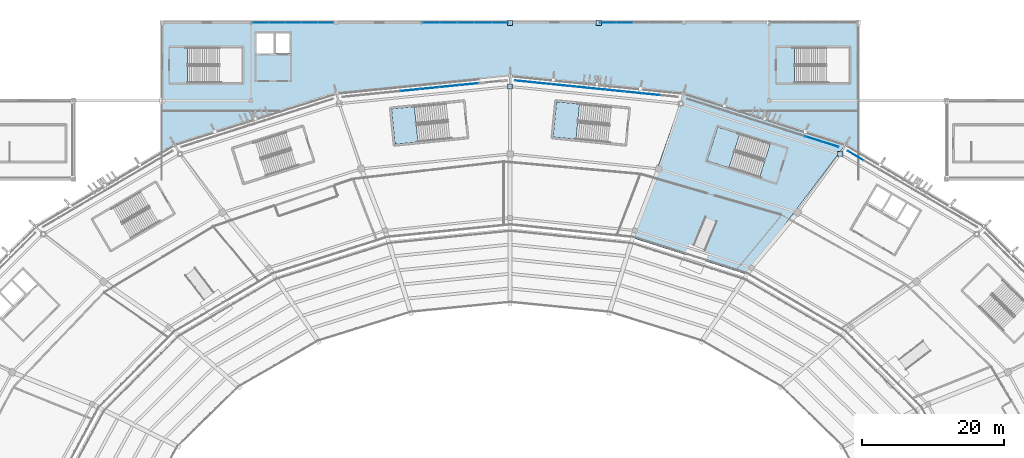
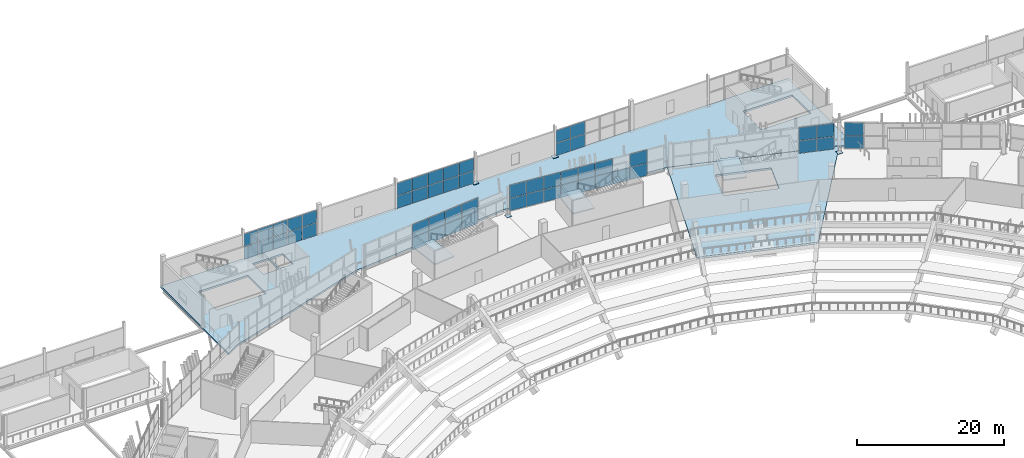
# One storey, part 101 of 178: 57 plates, 5 slabs, 10 elements without a shape of their own.
"""IFC4 building model written with IfcOpenShell, lengths in metres."""

from ifc_helpers import new_model, si_unit, direction, frame, origin, origin_2d, place, context, subcontext, project, spatial, polyline, rectangle, outline, extrude, material, layer, layer_set, type_object, element, aggregate, save


model = new_model("IFC4")

# Units and contexts
model_context = context("Model", 3, precision=1e-05, world=origin(), true_north=direction((0.0, 1.0)))
body_context = subcontext(model_context, "Body", "Model", "MODEL_VIEW")
ifc_project = project(units=[si_unit("LENGTHUNIT", "METRE"), si_unit("AREAUNIT", "SQUARE_METRE"), si_unit("VOLUMEUNIT", "CUBIC_METRE"), si_unit("PLANEANGLEUNIT", "RADIAN"), si_unit("MASSUNIT", "GRAM", prefix="KILO")], contexts=[model_context])

# Site, building, storey
site_placement = place(None, origin())
site = spatial("IfcSite", under=ifc_project, at=site_placement, CompositionType="ELEMENT")
building_placement = place(site_placement, origin())
building = spatial("IfcBuilding", under=site, at=building_placement, Name="Zlatoyarsky Gate Stadium", CompositionType="ELEMENT")
storey_placement = place(building_placement, frame((0.0, 0.0, 5.39990234375)))
storey = spatial("IfcBuildingStorey", under=building, at=storey_placement, Name="L01", CompositionType="ELEMENT", Elevation=5.39990234375)

# Curtain wall, plates
ifc_material_1 = material(Name="Thermally broken anodised aluminium curtain wall", Category="aluminium")
curtain_wall_type_1 = type_object("IfcCurtainWallType", Name="MONUMENTAL ARCHED GATE GLAZING LOWER", PredefinedType="USERDEFINED", material=ifc_material_1)
curtain_wall_1_placement = place(storey_placement, origin())
curtain_wall_1 = element("IfcCurtainWall", 1, at=curtain_wall_1_placement, inside=storey, type_object=curtain_wall_type_1, Name="Curtain wall CW-L01-06", ObjectType="ARCHED GATE GLAZING", PredefinedType="USERDEFINED")
ifc_material_2 = material(Name="Triple-glazed argon low-e architectural glass", Category="glass")
ifc_layer_1 = layer(ifc_material_2, 0.0458984375)
ifc_layer_set_1 = layer_set([ifc_layer_1], Name="Triple-glazed argon low-e architectural glass")
plate_type_1 = type_object("IfcPlateType", Name="ACOUSTIC LAMINATED GATE GLAZING PANEL 46", PredefinedType="CURTAIN_PANEL", material=ifc_layer_set_1)
plate_1_placement = place(storey_placement, frame((105.18017578125, 151.32177734375, 0.074951171875), z_axis=(0.0, 0.0, 1.0), x_axis=(-0.994956958498, -0.100302795257, 0.0)))
plate_1 = element("IfcPlate", 2, at=plate_1_placement, type_object=plate_type_1, Name="CW-AG1 panel 1.1", PredefinedType="CURTAIN_PANEL", context=body_context, shape_type="SweptSolid", body=[
    extrude(rectangle(XDim=2.648681640625, YDim=0.0458984375, at=origin_2d()), origin(), (0.0, 0.0, 1.0), 2.03759765625),
])
plate_2_placement = place(storey_placement, frame((105.18017578125, 151.32177734375, 2.1875), z_axis=(0.0, 0.0, 1.0), x_axis=(-0.994956958498, -0.100302795257, 0.0)))
plate_2 = element("IfcPlate", 3, at=plate_2_placement, type_object=plate_type_1, Name="CW-AG1 panel 1.2", PredefinedType="CURTAIN_PANEL", context=body_context, shape_type="SweptSolid", body=[
    extrude(rectangle(XDim=2.648681640625, YDim=0.0458984375, at=origin_2d()), origin(), (0.0, 0.0, 1.0), 2.137451171875),
])
plate_3_placement = place(storey_placement, frame((102.451416015625, 151.046875, 0.074951171875), z_axis=(0.0, 0.0, 1.0), x_axis=(-0.994956958498, -0.100302795257, 0.0)))
plate_3 = element("IfcPlate", 4, at=plate_3_placement, type_object=plate_type_1, Name="CW-AG1 panel 2.1", PredefinedType="CURTAIN_PANEL", context=body_context, shape_type="SweptSolid", body=[
    extrude(rectangle(XDim=2.686279296875, YDim=0.0458984375, at=origin_2d()), origin(), (0.0, 0.0, 1.0), 2.03759765625),
])
plate_4_placement = place(storey_placement, frame((102.451416015625, 151.046875, 2.1875), z_axis=(0.0, 0.0, 1.0), x_axis=(-0.994956958498, -0.100302795257, 0.0)))
plate_4 = element("IfcPlate", 5, at=plate_4_placement, type_object=plate_type_1, Name="CW-AG1 panel 2.2", PredefinedType="CURTAIN_PANEL", context=body_context, shape_type="SweptSolid", body=[
    extrude(rectangle(XDim=2.686279296875, YDim=0.0458984375, at=origin_2d()), origin(), (0.0, 0.0, 1.0), 2.137451171875),
])
plate_5_placement = place(storey_placement, frame((99.7041015625, 150.769775390625, 0.074951171875), z_axis=(0.0, 0.0, 1.0), x_axis=(-0.994956958498, -0.100302795257, 0.0)))
plate_5 = element("IfcPlate", 6, at=plate_5_placement, type_object=plate_type_1, Name="CW-AG1 panel 3.1", PredefinedType="CURTAIN_PANEL", context=body_context, shape_type="SweptSolid", body=[
    extrude(rectangle(XDim=2.686279296875, YDim=0.0458984375, at=origin_2d()), origin(), (0.0, 0.0, 1.0), 2.03759765625),
])
plate_6_placement = place(storey_placement, frame((99.7041015625, 150.769775390625, 2.1875), z_axis=(0.0, 0.0, 1.0), x_axis=(-0.994956958498, -0.100302795257, 0.0)))
plate_6 = element("IfcPlate", 7, at=plate_6_placement, type_object=plate_type_1, Name="CW-AG1 panel 3.2", PredefinedType="CURTAIN_PANEL", context=body_context, shape_type="SweptSolid", body=[
    extrude(rectangle(XDim=2.686279296875, YDim=0.0458984375, at=origin_2d()), origin(), (0.0, 0.0, 1.0), 2.137451171875),
])
plate_7_placement = place(storey_placement, frame((96.956787109375, 150.492919921875, 0.074951171875), z_axis=(0.0, 0.0, 1.0), x_axis=(-0.994956958498, -0.100302795257, 0.0)))
plate_7 = element("IfcPlate", 8, at=plate_7_placement, type_object=plate_type_1, Name="CW-AG1 panel 4.1", PredefinedType="CURTAIN_PANEL", context=body_context, shape_type="SweptSolid", body=[
    extrude(rectangle(XDim=2.686279296875, YDim=0.0458984375, at=origin_2d()), origin(), (0.0, 0.0, 1.0), 2.03759765625),
])
plate_8_placement = place(storey_placement, frame((96.956787109375, 150.492919921875, 2.1875), z_axis=(0.0, 0.0, 1.0), x_axis=(-0.994956958498, -0.100302795257, 0.0)))
plate_8 = element("IfcPlate", 9, at=plate_8_placement, type_object=plate_type_1, Name="CW-AG1 panel 4.2", PredefinedType="CURTAIN_PANEL", context=body_context, shape_type="SweptSolid", body=[
    extrude(rectangle(XDim=2.686279296875, YDim=0.0458984375, at=origin_2d()), origin(), (0.0, 0.0, 1.0), 2.137451171875),
])
aggregate(curtain_wall_1, [plate_1, plate_2, plate_3, plate_4, plate_5, plate_6, plate_7, plate_8])

# Slabs
ifc_material_3 = material(Name="Concrete C40/50", Category="concrete")
ifc_layer_2 = layer(ifc_material_3, 0.300048828125)
ifc_layer_set_2 = layer_set([ifc_layer_2], Name="Concrete C40/50")
slab_type_1 = type_object("IfcSlabType", Name="CONCRETE CONCOURSE SLAB 300", PredefinedType="FLOOR", material=ifc_layer_set_2)
slab_1_placement = place(storey_placement, frame((0.0, 0.0, -0.2998046875)))
element("IfcSlab", 10, at=slab_1_placement, inside=storey, type_object=slab_type_1, Name="L01 bowl sector 04 slab", PredefinedType="FLOOR", context=body_context, shape_type="SweptSolid", body=[
    extrude(outline(polyline([(128.2890625, 129.648681640625), (135.486572265625, 150.134521484375), (158.30419921875, 142.880859375), (144.39990234375, 124.513671875), (128.2890625, 129.648681640625)]), holes=[polyline([(146.145751953125, 138.197021484375), (147.6533203125, 142.964111328125), (140.263916015625, 145.30078125), (138.75634765625, 140.53369140625), (146.145751953125, 138.197021484375)])]), origin(), (0.0, 0.0, 1.0), 0.2998046875),
])
slab_2_placement = place(storey_placement, frame((0.0, 0.0, -0.2998046875)))
element("IfcSlab", 11, at=slab_2_placement, inside=storey, type_object=slab_type_1, Name="L01 wing V2_NORTH slab", PredefinedType="FLOOR", context=body_context, shape_type="SweptSolid", body=[
    extrude(outline(polyline([(160.239990234375, 141.740966796875), (158.30419921875, 142.880859375), (135.486572265625, 150.134521484375), (111.0, 152.6083984375), (86.513427734375, 150.134521484375), (63.69580078125, 142.880859375), (61.760009765625, 141.74072265625), (61.760009765625, 160.239990234375), (160.239990234375, 160.239990234375), (160.239990234375, 141.740966796875)]), holes=[polyline([(65.550048828125, 151.5), (73.300048828125, 151.5), (73.300048828125, 156.5), (65.550048828125, 156.5), (65.550048828125, 151.5)]), polyline([(151.050048828125, 151.5), (158.800048828125, 151.5), (158.800048828125, 156.5), (151.050048828125, 156.5), (151.050048828125, 151.5)]), polyline([(75.25, 158.550048828125), (75.25, 155.64990234375), (77.75, 155.64990234375), (77.75, 158.550048828125), (75.25, 158.550048828125)]), polyline([(80.0, 158.550048828125), (78.0, 158.550048828125), (78.0, 155.75), (80.0, 155.75), (80.0, 158.550048828125)])]), origin(), (0.0, 0.0, 1.0), 0.2998046875),
])

# Stair, slab
stair_type = type_object("IfcStairType", Name="CONCRETE DOGLEG EXIT STAIR H5200", PredefinedType="TWO_STRAIGHT_RUN_STAIR", material=ifc_material_3)
stair_1_placement = place(storey_placement, origin())
stair_1 = element("IfcStair", 12, at=stair_1_placement, inside=storey, type_object=stair_type, Name="L01 Exit Stair ST-03", PredefinedType="TWO_STRAIGHT_RUN_STAIR")
ifc_layer_3 = layer(ifc_material_3, 0.199951171875)
ifc_layer_set_3 = layer_set([ifc_layer_3], Name="Concrete C40/50")
slab_type_2 = type_object("IfcSlabType", Name="CONCRETE STAIR LANDING SLAB 200", PredefinedType="LANDING", material=ifc_layer_set_3)
slab_3_placement = place(storey_placement, frame((0.0, 0.0, 2.400146484375)))
slab_3 = element("IfcSlab", 13, at=slab_3_placement, type_object=slab_type_2, Name="ST-DG52 landing 1", PredefinedType="LANDING", context=body_context, shape_type="SweptSolid", body=[
    extrude(outline(polyline([(143.36279296875, 144.321044921875), (140.263916015625, 145.30078125), (138.75634765625, 140.53369140625), (141.855224609375, 139.5537109375), (143.36279296875, 144.321044921875)])), origin(), (0.0, 0.0, 1.0), 0.199951171875),
])
aggregate(stair_1, [slab_3])

stair_2_placement = place(storey_placement, origin())
stair_2 = element("IfcStair", 14, at=stair_2_placement, inside=storey, type_object=stair_type, Name="L01 Exit Stair ST-04", PredefinedType="TWO_STRAIGHT_RUN_STAIR")
slab_4_placement = place(storey_placement, frame((0.0, 0.0, 2.400146484375)))
slab_4 = element("IfcSlab", 15, at=slab_4_placement, type_object=slab_type_2, Name="ST-DG52 landing 1", PredefinedType="LANDING", context=body_context, shape_type="SweptSolid", body=[
    extrude(outline(polyline([(97.5263671875, 148.170654296875), (94.292724609375, 147.845703125), (94.792724609375, 142.870849609375), (98.0263671875, 143.19580078125), (97.5263671875, 148.170654296875)])), origin(), (0.0, 0.0, 1.0), 0.199951171875),
])
aggregate(stair_2, [slab_4])

stair_3_placement = place(storey_placement, origin())
stair_3 = element("IfcStair", 16, at=stair_3_placement, inside=storey, type_object=stair_type, Name="L01 Exit Stair ST-17", PredefinedType="TWO_STRAIGHT_RUN_STAIR")
slab_5_placement = place(storey_placement, frame((0.0, 0.0, 2.400146484375)))
slab_5 = element("IfcSlab", 17, at=slab_5_placement, type_object=slab_type_2, Name="ST-DG52 landing 1", PredefinedType="LANDING", context=body_context, shape_type="SweptSolid", body=[
    extrude(outline(polyline([(120.792236328125, 148.540771484375), (117.558349609375, 148.865966796875), (117.058349609375, 143.890869140625), (120.2919921875, 143.56591796875), (120.792236328125, 148.540771484375)])), origin(), (0.0, 0.0, 1.0), 0.199951171875),
])
aggregate(stair_3, [slab_5])

# Plates
ifc_material_4 = material(Name="Steel S355", Category="steel")
ifc_layer_4 = layer(ifc_material_4, 0.0400390625)
ifc_layer_set_4 = layer_set([ifc_layer_4], Name="Steel S355")
plate_type_2 = type_object("IfcPlateType", Name="STEEL COLUMN BASE PLATE 40", PredefinedType="USERDEFINED", material=ifc_layer_set_4)
for number, where, z_axis, x_axis, name in (
    (18, (157.5, 141.48779296875, 0.0), (0.0, 0.0, 1.0), (1.0, 0.0, 0.0), "Column base plate BP-01 at RC-04 L01"),
    (19, (111.0, 151.0, 0.0), (0.0, 0.0, 1.0), (1.0, 0.0, 0.0), "Column base plate BP-01 at RC-06 L01"),
    (20, (111.0, 160.0, 0.0), (0.0, 0.0, 1.0), (1.0, 0.0, 0.0), "Column base plate BP-01 at WG-10-Q L01"),
    (21, (123.5, 160.0, 0.0), (0.0, 0.0, 1.0), (1.0, 0.0, 0.0), "Column base plate BP-01 at WG-11-Q L01"),
):
    element("IfcPlate", number, at=place(storey_placement, frame(where, z_axis=z_axis, x_axis=x_axis)), inside=storey, type_object=plate_type_2, Name=name, ObjectType="BASE PLATE", PredefinedType="USERDEFINED", context=body_context, shape_type="SweptSolid", body=[
        extrude(rectangle(XDim=0.75, YDim=0.75, at=origin_2d()), origin(), (0.0, 0.0, 1.0), 0.0400390625),
    ])

# Curtain wall, plates
curtain_wall_type_2 = type_object("IfcCurtainWallType", Name="UNITISED HOSPITALITY GLAZING L01", PredefinedType="USERDEFINED", material=ifc_material_1)
curtain_wall_2_placement = place(storey_placement, origin())
curtain_wall_2 = element("IfcCurtainWall", 22, at=curtain_wall_2_placement, inside=storey, type_object=curtain_wall_type_2, Name="Curtain wall CW-L01-03", ObjectType="UNITISED GLAZING", PredefinedType="USERDEFINED")
ifc_layer_5 = layer(ifc_material_2, 0.0380859375)
ifc_layer_set_5 = layer_set([ifc_layer_5], Name="Triple-glazed argon low-e architectural glass")
plate_type_3 = type_object("IfcPlateType", Name="TRIPLE GLAZED LOW E CURTAIN PANEL 38", PredefinedType="CURTAIN_PANEL", material=ifc_layer_set_5)
plate_9_placement = place(storey_placement, frame((159.67431640625, 141.263916015625, 0.06494140625), z_axis=(0.0, 0.0, 1.0), x_axis=(-0.862186850558, 0.506590401335, 0.0)))
plate_9 = element("IfcPlate", 23, at=plate_9_placement, type_object=plate_type_3, Name="CW-UG1 panel 8.1", PredefinedType="CURTAIN_PANEL", context=body_context, shape_type="SweptSolid", body=[
    extrude(rectangle(XDim=2.559814453125, YDim=0.0380859375, at=origin_2d()), origin(), (0.0, 0.0, 1.0), 2.052490234375),
])
plate_10_placement = place(storey_placement, frame((159.67431640625, 141.263916015625, 2.1826171875), z_axis=(0.0, 0.0, 1.0), x_axis=(-0.862186850558, 0.506590401335, 0.0)))
plate_10 = element("IfcPlate", 24, at=plate_10_placement, type_object=plate_type_3, Name="CW-UG1 panel 8.2", PredefinedType="CURTAIN_PANEL", context=body_context, shape_type="SweptSolid", body=[
    extrude(rectangle(XDim=2.559814453125, YDim=0.0380859375, at=origin_2d()), origin(), (0.0, 0.0, 1.0), 2.152587890625),
])
aggregate(curtain_wall_2, [plate_9, plate_10])

curtain_wall_3_placement = place(storey_placement, origin())
curtain_wall_3 = element("IfcCurtainWall", 25, at=curtain_wall_3_placement, inside=storey, type_object=curtain_wall_type_2, Name="Curtain wall CW-L01-04", ObjectType="UNITISED GLAZING", PredefinedType="USERDEFINED")
plate_11_placement = place(storey_placement, frame((156.1298828125, 142.853271484375, 0.06494140625), z_axis=(0.0, 0.0, 1.0), x_axis=(-0.953202069722, 0.302333944964, 0.0)))
plate_11 = element("IfcPlate", 26, at=plate_11_placement, type_object=plate_type_3, Name="CW-UG1 panel 1.1", PredefinedType="CURTAIN_PANEL", context=body_context, shape_type="SweptSolid", body=[
    extrude(rectangle(XDim=2.398193359375, YDim=0.0380859375, at=origin_2d()), origin(), (0.0, 0.0, 1.0), 2.052490234375),
])
plate_12_placement = place(storey_placement, frame((156.1298828125, 142.853271484375, 2.1826171875), z_axis=(0.0, 0.0, 1.0), x_axis=(-0.953202069722, 0.302333944964, 0.0)))
plate_12 = element("IfcPlate", 27, at=plate_12_placement, type_object=plate_type_3, Name="CW-UG1 panel 1.2", PredefinedType="CURTAIN_PANEL", context=body_context, shape_type="SweptSolid", body=[
    extrude(rectangle(XDim=2.398193359375, YDim=0.0380859375, at=origin_2d()), origin(), (0.0, 0.0, 1.0), 2.152587890625),
])
plate_13_placement = place(storey_placement, frame((153.766357421875, 143.602783203125, 0.06494140625), z_axis=(0.0, 0.0, 1.0), x_axis=(-0.953202069722, 0.302333944964, 0.0)))
plate_13 = element("IfcPlate", 28, at=plate_13_placement, type_object=plate_type_3, Name="CW-UG1 panel 2.1", PredefinedType="CURTAIN_PANEL", context=body_context, shape_type="SweptSolid", body=[
    extrude(rectangle(XDim=2.4306640625, YDim=0.0380859375, at=origin_2d()), origin(), (0.0, 0.0, 1.0), 2.052490234375),
])
plate_14_placement = place(storey_placement, frame((153.766357421875, 143.602783203125, 2.1826171875), z_axis=(0.0, 0.0, 1.0), x_axis=(-0.953202069722, 0.302333944964, 0.0)))
plate_14 = element("IfcPlate", 29, at=plate_14_placement, type_object=plate_type_3, Name="CW-UG1 panel 2.2", PredefinedType="CURTAIN_PANEL", context=body_context, shape_type="SweptSolid", body=[
    extrude(rectangle(XDim=2.4306640625, YDim=0.0380859375, at=origin_2d()), origin(), (0.0, 0.0, 1.0), 2.152587890625),
])
aggregate(curtain_wall_3, [plate_11, plate_12, plate_13, plate_14])

curtain_wall_4_placement = place(storey_placement, origin())
curtain_wall_4 = element("IfcCurtainWall", 30, at=curtain_wall_4_placement, inside=storey, type_object=curtain_wall_type_2, Name="Curtain wall CW-L01-05", ObjectType="UNITISED GLAZING", PredefinedType="USERDEFINED")
plate_15_placement = place(storey_placement, frame((130.8232421875, 149.91015625, 0.06494140625), z_axis=(0.0, 0.0, 1.0), x_axis=(-0.99495720457, 0.100300354307, 0.0)))
plate_15 = element("IfcPlate", 31, at=plate_15_placement, type_object=plate_type_3, Name="CW-UG1 panel 2.1", PredefinedType="CURTAIN_PANEL", context=body_context, shape_type="SweptSolid", body=[
    extrude(rectangle(XDim=2.5048828125, YDim=0.0380859375, at=origin_2d()), origin(), (0.0, 0.0, 1.0), 2.052490234375),
])
plate_16_placement = place(storey_placement, frame((130.8232421875, 149.91015625, 2.1826171875), z_axis=(0.0, 0.0, 1.0), x_axis=(-0.99495720457, 0.100300354307, 0.0)))
plate_16 = element("IfcPlate", 32, at=plate_16_placement, type_object=plate_type_3, Name="CW-UG1 panel 2.2", PredefinedType="CURTAIN_PANEL", context=body_context, shape_type="SweptSolid", body=[
    extrude(rectangle(XDim=2.5048828125, YDim=0.0380859375, at=origin_2d()), origin(), (0.0, 0.0, 1.0), 2.152587890625),
])
plate_17_placement = place(storey_placement, frame((128.266357421875, 150.16796875, 0.06494140625), z_axis=(0.0, 0.0, 1.0), x_axis=(-0.99495720457, 0.100300354307, 0.0)))
plate_17 = element("IfcPlate", 33, at=plate_17_placement, type_object=plate_type_3, Name="CW-UG1 panel 3.1", PredefinedType="CURTAIN_PANEL", context=body_context, shape_type="SweptSolid", body=[
    extrude(rectangle(XDim=2.5048828125, YDim=0.0380859375, at=origin_2d()), origin(), (0.0, 0.0, 1.0), 2.052490234375),
])
plate_18_placement = place(storey_placement, frame((125.70947265625, 150.425537109375, 0.06494140625), z_axis=(0.0, 0.0, 1.0), x_axis=(-0.99495720457, 0.100300354307, 0.0)))
plate_18 = element("IfcPlate", 34, at=plate_18_placement, type_object=plate_type_3, Name="CW-UG1 panel 4.1", PredefinedType="CURTAIN_PANEL", context=body_context, shape_type="SweptSolid", body=[
    extrude(rectangle(XDim=2.5048828125, YDim=0.0380859375, at=origin_2d()), origin(), (0.0, 0.0, 1.0), 2.052490234375),
])
plate_19_placement = place(storey_placement, frame((125.70947265625, 150.425537109375, 2.1826171875), z_axis=(0.0, 0.0, 1.0), x_axis=(-0.99495720457, 0.100300354307, 0.0)))
plate_19 = element("IfcPlate", 35, at=plate_19_placement, type_object=plate_type_3, Name="CW-UG1 panel 4.2", PredefinedType="CURTAIN_PANEL", context=body_context, shape_type="SweptSolid", body=[
    extrude(rectangle(XDim=2.5048828125, YDim=0.0380859375, at=origin_2d()), origin(), (0.0, 0.0, 1.0), 2.152587890625),
])
plate_20_placement = place(storey_placement, frame((123.152587890625, 150.683349609375, 0.06494140625), z_axis=(0.0, 0.0, 1.0), x_axis=(-0.99495720457, 0.100300354307, 0.0)))
plate_20 = element("IfcPlate", 36, at=plate_20_placement, type_object=plate_type_3, Name="CW-UG1 panel 5.1", PredefinedType="CURTAIN_PANEL", context=body_context, shape_type="SweptSolid", body=[
    extrude(rectangle(XDim=2.5048828125, YDim=0.0380859375, at=origin_2d()), origin(), (0.0, 0.0, 1.0), 2.052490234375),
])
plate_21_placement = place(storey_placement, frame((123.152587890625, 150.683349609375, 2.1826171875), z_axis=(0.0, 0.0, 1.0), x_axis=(-0.99495720457, 0.100300354307, 0.0)))
plate_21 = element("IfcPlate", 37, at=plate_21_placement, type_object=plate_type_3, Name="CW-UG1 panel 5.2", PredefinedType="CURTAIN_PANEL", context=body_context, shape_type="SweptSolid", body=[
    extrude(rectangle(XDim=2.5048828125, YDim=0.0380859375, at=origin_2d()), origin(), (0.0, 0.0, 1.0), 2.152587890625),
])
plate_22_placement = place(storey_placement, frame((120.595703125, 150.941162109375, 0.06494140625), z_axis=(0.0, 0.0, 1.0), x_axis=(-0.99495720457, 0.100300354307, 0.0)))
plate_22 = element("IfcPlate", 38, at=plate_22_placement, type_object=plate_type_3, Name="CW-UG1 panel 6.1", PredefinedType="CURTAIN_PANEL", context=body_context, shape_type="SweptSolid", body=[
    extrude(rectangle(XDim=2.5048828125, YDim=0.0380859375, at=origin_2d()), origin(), (0.0, 0.0, 1.0), 2.052490234375),
])
plate_23_placement = place(storey_placement, frame((120.595703125, 150.941162109375, 2.1826171875), z_axis=(0.0, 0.0, 1.0), x_axis=(-0.99495720457, 0.100300354307, 0.0)))
plate_23 = element("IfcPlate", 39, at=plate_23_placement, type_object=plate_type_3, Name="CW-UG1 panel 6.2", PredefinedType="CURTAIN_PANEL", context=body_context, shape_type="SweptSolid", body=[
    extrude(rectangle(XDim=2.5048828125, YDim=0.0380859375, at=origin_2d()), origin(), (0.0, 0.0, 1.0), 2.152587890625),
])
plate_24_placement = place(storey_placement, frame((118.038818359375, 151.198974609375, 0.06494140625), z_axis=(0.0, 0.0, 1.0), x_axis=(-0.99495720457, 0.100300354307, 0.0)))
plate_24 = element("IfcPlate", 40, at=plate_24_placement, type_object=plate_type_3, Name="CW-UG1 panel 7.1", PredefinedType="CURTAIN_PANEL", context=body_context, shape_type="SweptSolid", body=[
    extrude(rectangle(XDim=2.5048828125, YDim=0.0380859375, at=origin_2d()), origin(), (0.0, 0.0, 1.0), 2.052490234375),
])
plate_25_placement = place(storey_placement, frame((118.038818359375, 151.198974609375, 2.1826171875), z_axis=(0.0, 0.0, 1.0), x_axis=(-0.99495720457, 0.100300354307, 0.0)))
plate_25 = element("IfcPlate", 41, at=plate_25_placement, type_object=plate_type_3, Name="CW-UG1 panel 7.2", PredefinedType="CURTAIN_PANEL", context=body_context, shape_type="SweptSolid", body=[
    extrude(rectangle(XDim=2.5048828125, YDim=0.0380859375, at=origin_2d()), origin(), (0.0, 0.0, 1.0), 2.152587890625),
])
plate_26_placement = place(storey_placement, frame((115.48193359375, 151.456787109375, 0.06494140625), z_axis=(0.0, 0.0, 1.0), x_axis=(-0.99495720457, 0.100300354307, 0.0)))
plate_26 = element("IfcPlate", 42, at=plate_26_placement, type_object=plate_type_3, Name="CW-UG1 panel 8.1", PredefinedType="CURTAIN_PANEL", context=body_context, shape_type="SweptSolid", body=[
    extrude(rectangle(XDim=2.5048828125, YDim=0.0380859375, at=origin_2d()), origin(), (0.0, 0.0, 1.0), 2.052490234375),
])
plate_27_placement = place(storey_placement, frame((115.48193359375, 151.456787109375, 2.1826171875), z_axis=(0.0, 0.0, 1.0), x_axis=(-0.99495720457, 0.100300354307, 0.0)))
plate_27 = element("IfcPlate", 43, at=plate_27_placement, type_object=plate_type_3, Name="CW-UG1 panel 8.2", PredefinedType="CURTAIN_PANEL", context=body_context, shape_type="SweptSolid", body=[
    extrude(rectangle(XDim=2.5048828125, YDim=0.0380859375, at=origin_2d()), origin(), (0.0, 0.0, 1.0), 2.152587890625),
])
plate_28_placement = place(storey_placement, frame((112.94140625, 151.712890625, 0.06494140625), z_axis=(0.0, 0.0, 1.0), x_axis=(-0.99495720457, 0.100300354307, 0.0)))
plate_28 = element("IfcPlate", 44, at=plate_28_placement, type_object=plate_type_3, Name="CW-UG1 panel 9.1", PredefinedType="CURTAIN_PANEL", context=body_context, shape_type="SweptSolid", body=[
    extrude(rectangle(XDim=2.472412109375, YDim=0.0380859375, at=origin_2d()), origin(), (0.0, 0.0, 1.0), 2.052490234375),
])
plate_29_placement = place(storey_placement, frame((112.94140625, 151.712890625, 2.1826171875), z_axis=(0.0, 0.0, 1.0), x_axis=(-0.99495720457, 0.100300354307, 0.0)))
plate_29 = element("IfcPlate", 45, at=plate_29_placement, type_object=plate_type_3, Name="CW-UG1 panel 9.2", PredefinedType="CURTAIN_PANEL", context=body_context, shape_type="SweptSolid", body=[
    extrude(rectangle(XDim=2.472412109375, YDim=0.0380859375, at=origin_2d()), origin(), (0.0, 0.0, 1.0), 2.152587890625),
])
aggregate(curtain_wall_4, [plate_15, plate_16, plate_17, plate_18, plate_19, plate_20, plate_21, plate_22, plate_23, plate_24, plate_25, plate_26, plate_27, plate_28, plate_29])

curtain_wall_type_3 = type_object("IfcCurtainWallType", Name="WINTER GARDEN CONSERVATORY GLAZING", PredefinedType="USERDEFINED", material=ifc_material_1)
curtain_wall_5_placement = place(storey_placement, origin())
curtain_wall_5 = element("IfcCurtainWall", 46, at=curtain_wall_5_placement, inside=storey, type_object=curtain_wall_type_3, Name="Curtain wall CW-V2_NORTH-L01-145", ObjectType="UNITISED GLAZING", PredefinedType="USERDEFINED")
plate_30_placement = place(storey_placement, frame((75.830810546875, 160.0, 0.06494140625), z_axis=(0.0, 0.0, 1.0), x_axis=(1.0, 0.0, 0.0)))
plate_30 = element("IfcPlate", 47, at=plate_30_placement, type_object=plate_type_3, Name="CW-WG1 panel 1.1", PredefinedType="CURTAIN_PANEL", context=body_context, shape_type="SweptSolid", body=[
    extrude(rectangle(XDim=2.207763671875, YDim=0.0380859375, at=origin_2d()), origin(), (0.0, 0.0, 1.0), 2.052490234375),
])
plate_31_placement = place(storey_placement, frame((75.830810546875, 160.0, 2.1826171875), z_axis=(0.0, 0.0, 1.0), x_axis=(1.0, 0.0, 0.0)))
plate_31 = element("IfcPlate", 48, at=plate_31_placement, type_object=plate_type_3, Name="CW-WG1 panel 1.2", PredefinedType="CURTAIN_PANEL", context=body_context, shape_type="SweptSolid", body=[
    extrude(rectangle(XDim=2.207763671875, YDim=0.0380859375, at=origin_2d()), origin(), (0.0, 0.0, 1.0), 2.052490234375),
])
plate_32_placement = place(storey_placement, frame((78.119873046875, 160.0, 0.06494140625), z_axis=(0.0, 0.0, 1.0), x_axis=(1.0, 0.0, 0.0)))
plate_32 = element("IfcPlate", 49, at=plate_32_placement, type_object=plate_type_3, Name="CW-WG1 panel 2.1", PredefinedType="CURTAIN_PANEL", context=body_context, shape_type="SweptSolid", body=[
    extrude(rectangle(XDim=2.240234375, YDim=0.0380859375, at=origin_2d()), origin(), (0.0, 0.0, 1.0), 2.052490234375),
])
plate_33_placement = place(storey_placement, frame((78.119873046875, 160.0, 2.1826171875), z_axis=(0.0, 0.0, 1.0), x_axis=(1.0, 0.0, 0.0)))
plate_33 = element("IfcPlate", 50, at=plate_33_placement, type_object=plate_type_3, Name="CW-WG1 panel 2.2", PredefinedType="CURTAIN_PANEL", context=body_context, shape_type="SweptSolid", body=[
    extrude(rectangle(XDim=2.240234375, YDim=0.0380859375, at=origin_2d()), origin(), (0.0, 0.0, 1.0), 2.052490234375),
])
plate_34_placement = place(storey_placement, frame((80.425048828125, 160.0, 0.06494140625), z_axis=(0.0, 0.0, 1.0), x_axis=(1.0, 0.0, 0.0)))
plate_34 = element("IfcPlate", 51, at=plate_34_placement, type_object=plate_type_3, Name="CW-WG1 panel 3.1", PredefinedType="CURTAIN_PANEL", context=body_context, shape_type="SweptSolid", body=[
    extrude(rectangle(XDim=2.240234375, YDim=0.0380859375, at=origin_2d()), origin(), (0.0, 0.0, 1.0), 2.052490234375),
])
plate_35_placement = place(storey_placement, frame((80.425048828125, 160.0, 2.1826171875), z_axis=(0.0, 0.0, 1.0), x_axis=(1.0, 0.0, 0.0)))
plate_35 = element("IfcPlate", 52, at=plate_35_placement, type_object=plate_type_3, Name="CW-WG1 panel 3.2", PredefinedType="CURTAIN_PANEL", context=body_context, shape_type="SweptSolid", body=[
    extrude(rectangle(XDim=2.240234375, YDim=0.0380859375, at=origin_2d()), origin(), (0.0, 0.0, 1.0), 2.052490234375),
])
plate_36_placement = place(storey_placement, frame((82.730224609375, 160.0, 0.06494140625), z_axis=(0.0, 0.0, 1.0), x_axis=(1.0, 0.0, 0.0)))
plate_36 = element("IfcPlate", 53, at=plate_36_placement, type_object=plate_type_3, Name="CW-WG1 panel 4.1", PredefinedType="CURTAIN_PANEL", context=body_context, shape_type="SweptSolid", body=[
    extrude(rectangle(XDim=2.240234375, YDim=0.0380859375, at=origin_2d()), origin(), (0.0, 0.0, 1.0), 2.052490234375),
])
plate_37_placement = place(storey_placement, frame((82.730224609375, 160.0, 2.1826171875), z_axis=(0.0, 0.0, 1.0), x_axis=(1.0, 0.0, 0.0)))
plate_37 = element("IfcPlate", 54, at=plate_37_placement, type_object=plate_type_3, Name="CW-WG1 panel 4.2", PredefinedType="CURTAIN_PANEL", context=body_context, shape_type="SweptSolid", body=[
    extrude(rectangle(XDim=2.240234375, YDim=0.0380859375, at=origin_2d()), origin(), (0.0, 0.0, 1.0), 2.052490234375),
])
plate_38_placement = place(storey_placement, frame((85.01904296875, 160.0, 0.06494140625), z_axis=(0.0, 0.0, 1.0), x_axis=(1.0, 0.0, 0.0)))
plate_38 = element("IfcPlate", 55, at=plate_38_placement, type_object=plate_type_3, Name="CW-WG1 panel 5.1", PredefinedType="CURTAIN_PANEL", context=body_context, shape_type="SweptSolid", body=[
    extrude(rectangle(XDim=2.207763671875, YDim=0.0380859375, at=origin_2d()), origin(), (0.0, 0.0, 1.0), 2.052490234375),
])
plate_39_placement = place(storey_placement, frame((85.01904296875, 160.0, 2.1826171875), z_axis=(0.0, 0.0, 1.0), x_axis=(1.0, 0.0, 0.0)))
plate_39 = element("IfcPlate", 56, at=plate_39_placement, type_object=plate_type_3, Name="CW-WG1 panel 5.2", PredefinedType="CURTAIN_PANEL", context=body_context, shape_type="SweptSolid", body=[
    extrude(rectangle(XDim=2.207763671875, YDim=0.0380859375, at=origin_2d()), origin(), (0.0, 0.0, 1.0), 2.052490234375),
])
aggregate(curtain_wall_5, [plate_30, plate_31, plate_32, plate_33, plate_34, plate_35, plate_36, plate_37, plate_38, plate_39])

curtain_wall_6_placement = place(storey_placement, origin())
curtain_wall_6 = element("IfcCurtainWall", 57, at=curtain_wall_6_placement, inside=storey, type_object=curtain_wall_type_3, Name="Curtain wall CW-V2_NORTH-L01-146", ObjectType="UNITISED GLAZING", PredefinedType="USERDEFINED")
plate_40_placement = place(storey_placement, frame((99.895751953125, 160.0, 0.06494140625), z_axis=(0.0, 0.0, 1.0), x_axis=(1.0, 0.0, 0.0)))
plate_40 = element("IfcPlate", 58, at=plate_40_placement, type_object=plate_type_3, Name="CW-WG1 panel 1.1", PredefinedType="CURTAIN_PANEL", context=body_context, shape_type="SweptSolid", body=[
    extrude(rectangle(XDim=2.337646484375, YDim=0.0380859375, at=origin_2d()), origin(), (0.0, 0.0, 1.0), 2.052490234375),
])
plate_41_placement = place(storey_placement, frame((99.895751953125, 160.0, 2.1826171875), z_axis=(0.0, 0.0, 1.0), x_axis=(1.0, 0.0, 0.0)))
plate_41 = element("IfcPlate", 59, at=plate_41_placement, type_object=plate_type_3, Name="CW-WG1 panel 1.2", PredefinedType="CURTAIN_PANEL", context=body_context, shape_type="SweptSolid", body=[
    extrude(rectangle(XDim=2.337646484375, YDim=0.0380859375, at=origin_2d()), origin(), (0.0, 0.0, 1.0), 2.052490234375),
])
plate_42_placement = place(storey_placement, frame((102.314697265625, 160.0, 0.06494140625), z_axis=(0.0, 0.0, 1.0), x_axis=(1.0, 0.0, 0.0)))
plate_42 = element("IfcPlate", 60, at=plate_42_placement, type_object=plate_type_3, Name="CW-WG1 panel 2.1", PredefinedType="CURTAIN_PANEL", context=body_context, shape_type="SweptSolid", body=[
    extrude(rectangle(XDim=2.3701171875, YDim=0.0380859375, at=origin_2d()), origin(), (0.0, 0.0, 1.0), 2.052490234375),
])
plate_43_placement = place(storey_placement, frame((102.314697265625, 160.0, 2.1826171875), z_axis=(0.0, 0.0, 1.0), x_axis=(1.0, 0.0, 0.0)))
plate_43 = element("IfcPlate", 61, at=plate_43_placement, type_object=plate_type_3, Name="CW-WG1 panel 2.2", PredefinedType="CURTAIN_PANEL", context=body_context, shape_type="SweptSolid", body=[
    extrude(rectangle(XDim=2.3701171875, YDim=0.0380859375, at=origin_2d()), origin(), (0.0, 0.0, 1.0), 2.052490234375),
])
plate_44_placement = place(storey_placement, frame((104.75, 160.0, 0.06494140625), z_axis=(0.0, 0.0, 1.0), x_axis=(1.0, 0.0, 0.0)))
plate_44 = element("IfcPlate", 62, at=plate_44_placement, type_object=plate_type_3, Name="CW-WG1 panel 3.1", PredefinedType="CURTAIN_PANEL", context=body_context, shape_type="SweptSolid", body=[
    extrude(rectangle(XDim=2.3701171875, YDim=0.0380859375, at=origin_2d()), origin(), (0.0, 0.0, 1.0), 2.052490234375),
])
plate_45_placement = place(storey_placement, frame((104.75, 160.0, 2.1826171875), z_axis=(0.0, 0.0, 1.0), x_axis=(1.0, 0.0, 0.0)))
plate_45 = element("IfcPlate", 63, at=plate_45_placement, type_object=plate_type_3, Name="CW-WG1 panel 3.2", PredefinedType="CURTAIN_PANEL", context=body_context, shape_type="SweptSolid", body=[
    extrude(rectangle(XDim=2.3701171875, YDim=0.0380859375, at=origin_2d()), origin(), (0.0, 0.0, 1.0), 2.052490234375),
])
plate_46_placement = place(storey_placement, frame((107.185302734375, 160.0, 0.06494140625), z_axis=(0.0, 0.0, 1.0), x_axis=(1.0, 0.0, 0.0)))
plate_46 = element("IfcPlate", 64, at=plate_46_placement, type_object=plate_type_3, Name="CW-WG1 panel 4.1", PredefinedType="CURTAIN_PANEL", context=body_context, shape_type="SweptSolid", body=[
    extrude(rectangle(XDim=2.3701171875, YDim=0.0380859375, at=origin_2d()), origin(), (0.0, 0.0, 1.0), 2.052490234375),
])
plate_47_placement = place(storey_placement, frame((107.185302734375, 160.0, 2.1826171875), z_axis=(0.0, 0.0, 1.0), x_axis=(1.0, 0.0, 0.0)))
plate_47 = element("IfcPlate", 65, at=plate_47_placement, type_object=plate_type_3, Name="CW-WG1 panel 4.2", PredefinedType="CURTAIN_PANEL", context=body_context, shape_type="SweptSolid", body=[
    extrude(rectangle(XDim=2.3701171875, YDim=0.0380859375, at=origin_2d()), origin(), (0.0, 0.0, 1.0), 2.052490234375),
])
plate_48_placement = place(storey_placement, frame((109.604248046875, 160.0, 0.06494140625), z_axis=(0.0, 0.0, 1.0), x_axis=(1.0, 0.0, 0.0)))
plate_48 = element("IfcPlate", 66, at=plate_48_placement, type_object=plate_type_3, Name="CW-WG1 panel 5.1", PredefinedType="CURTAIN_PANEL", context=body_context, shape_type="SweptSolid", body=[
    extrude(rectangle(XDim=2.337646484375, YDim=0.0380859375, at=origin_2d()), origin(), (0.0, 0.0, 1.0), 2.052490234375),
])
plate_49_placement = place(storey_placement, frame((109.604248046875, 160.0, 2.1826171875), z_axis=(0.0, 0.0, 1.0), x_axis=(1.0, 0.0, 0.0)))
plate_49 = element("IfcPlate", 67, at=plate_49_placement, type_object=plate_type_3, Name="CW-WG1 panel 5.2", PredefinedType="CURTAIN_PANEL", context=body_context, shape_type="SweptSolid", body=[
    extrude(rectangle(XDim=2.337646484375, YDim=0.0380859375, at=origin_2d()), origin(), (0.0, 0.0, 1.0), 2.052490234375),
])
aggregate(curtain_wall_6, [plate_40, plate_41, plate_42, plate_43, plate_44, plate_45, plate_46, plate_47, plate_48, plate_49])

curtain_wall_7_placement = place(storey_placement, origin())
curtain_wall_7 = element("IfcCurtainWall", 68, at=curtain_wall_7_placement, inside=storey, type_object=curtain_wall_type_3, Name="Curtain wall CW-V2_NORTH-L01-147", ObjectType="UNITISED GLAZING", PredefinedType="USERDEFINED")
plate_50_placement = place(storey_placement, frame((124.830810546875, 160.0, 0.06494140625), z_axis=(0.0, 0.0, 1.0), x_axis=(1.0, 0.0, 0.0)))
plate_50 = element("IfcPlate", 69, at=plate_50_placement, type_object=plate_type_3, Name="CW-WG1 panel 1.1", PredefinedType="CURTAIN_PANEL", context=body_context, shape_type="SweptSolid", body=[
    extrude(rectangle(XDim=2.207763671875, YDim=0.0380859375, at=origin_2d()), origin(), (0.0, 0.0, 1.0), 2.052490234375),
])
plate_51_placement = place(storey_placement, frame((124.830810546875, 160.0, 2.1826171875), z_axis=(0.0, 0.0, 1.0), x_axis=(1.0, 0.0, 0.0)))
plate_51 = element("IfcPlate", 70, at=plate_51_placement, type_object=plate_type_3, Name="CW-WG1 panel 1.2", PredefinedType="CURTAIN_PANEL", context=body_context, shape_type="SweptSolid", body=[
    extrude(rectangle(XDim=2.207763671875, YDim=0.0380859375, at=origin_2d()), origin(), (0.0, 0.0, 1.0), 2.052490234375),
])
plate_52_placement = place(storey_placement, frame((127.119873046875, 160.0, 0.06494140625), z_axis=(0.0, 0.0, 1.0), x_axis=(1.0, 0.0, 0.0)))
plate_52 = element("IfcPlate", 71, at=plate_52_placement, type_object=plate_type_3, Name="CW-WG1 panel 2.1", PredefinedType="CURTAIN_PANEL", context=body_context, shape_type="SweptSolid", body=[
    extrude(rectangle(XDim=2.240234375, YDim=0.0380859375, at=origin_2d()), origin(), (0.0, 0.0, 1.0), 2.052490234375),
])
plate_53_placement = place(storey_placement, frame((127.119873046875, 160.0, 2.1826171875), z_axis=(0.0, 0.0, 1.0), x_axis=(1.0, 0.0, 0.0)))
plate_53 = element("IfcPlate", 72, at=plate_53_placement, type_object=plate_type_3, Name="CW-WG1 panel 2.2", PredefinedType="CURTAIN_PANEL", context=body_context, shape_type="SweptSolid", body=[
    extrude(rectangle(XDim=2.240234375, YDim=0.0380859375, at=origin_2d()), origin(), (0.0, 0.0, 1.0), 2.052490234375),
])
aggregate(curtain_wall_7, [plate_50, plate_51, plate_52, plate_53])

save(model, "model.ifc")
